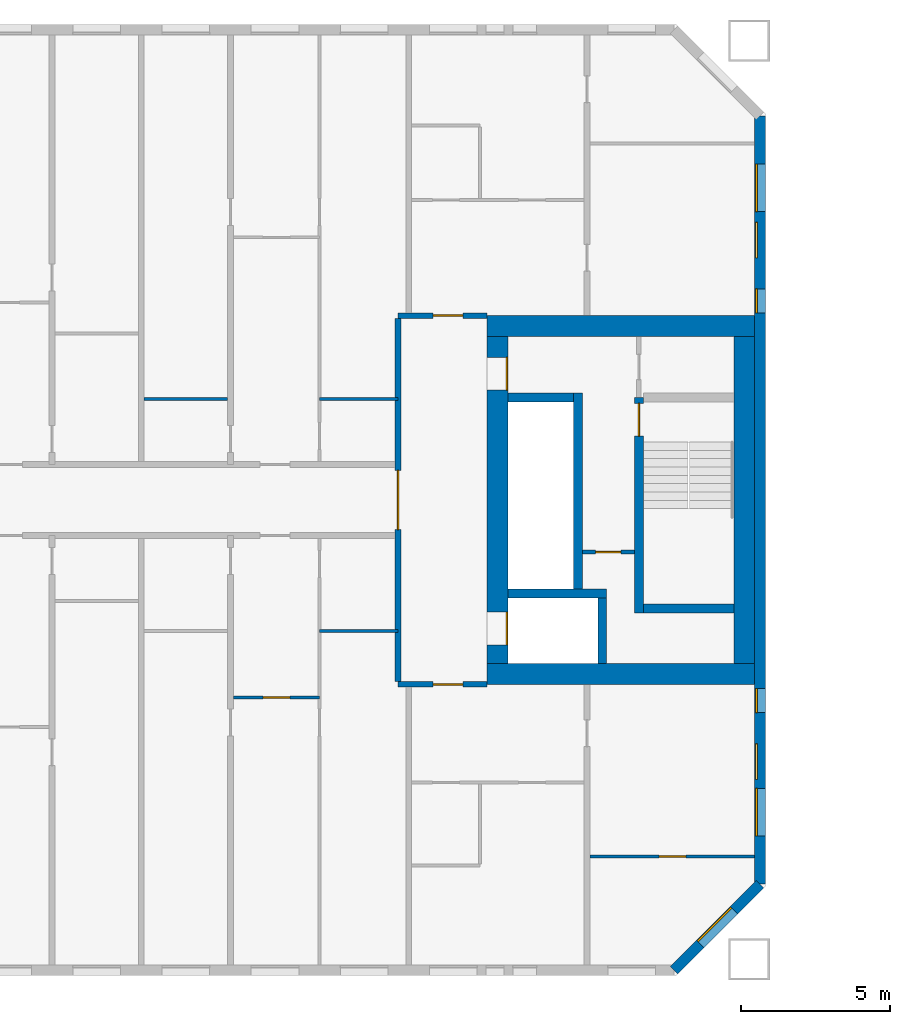
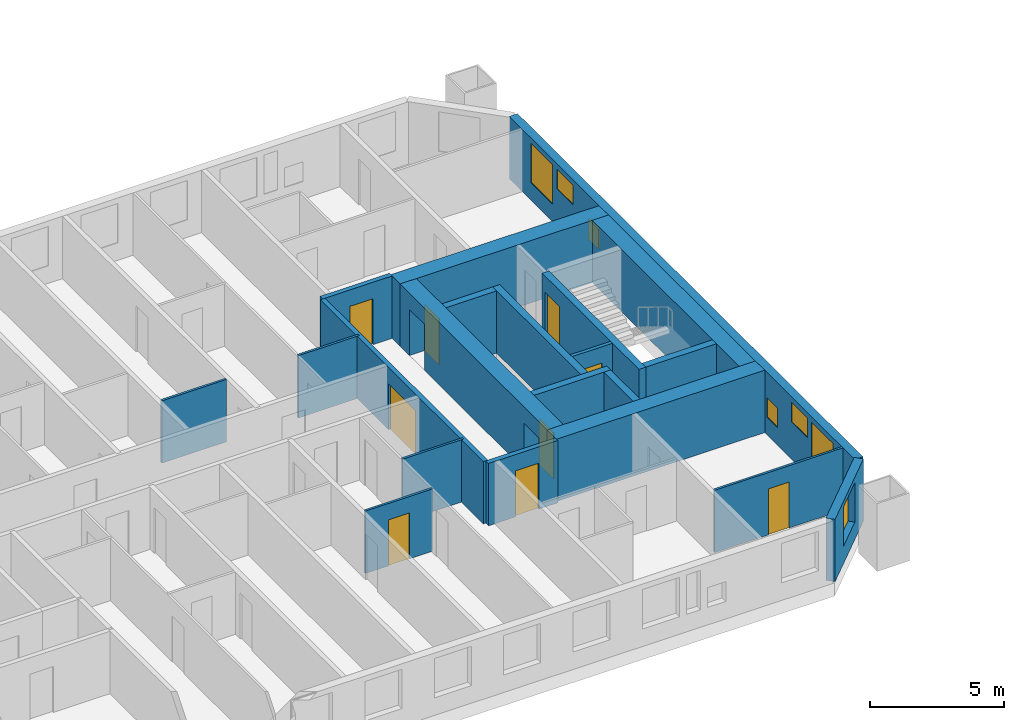
# One storey, part 7 of 17: 21 walls, 9 doors, 7 windows, 16 openings.
"""IFC4 building model written with IfcOpenShell, lengths in metres."""

from ifc_helpers import new_model, si_unit, direction, frame, frame_2d, origin, place, context, subcontext, project, spatial, rectangle, extrude, material, layer, layer_set, type_object, element, fill, save


model = new_model("IFC4")

# Units and contexts
model_context = context("Model", 3, precision=1e-05, world=origin(), true_north=direction((0.0, 1.0)))
body_context = subcontext(model_context, "Body", "Model", "MODEL_VIEW")
ifc_project = project(units=[si_unit("LENGTHUNIT", "METRE"), si_unit("AREAUNIT", "SQUARE_METRE"), si_unit("VOLUMEUNIT", "CUBIC_METRE"), si_unit("PLANEANGLEUNIT", "RADIAN"), si_unit("MASSUNIT", "GRAM", prefix="KILO")], contexts=[model_context])

# Site, building, storey
site_placement = place(None, origin())
site = spatial("IfcSite", under=ifc_project, at=site_placement, CompositionType="ELEMENT")
building_placement = place(site_placement, origin())
building = spatial("IfcBuilding", under=site, at=building_placement, Name="Tuart Gate Housing", CompositionType="ELEMENT")
storey_placement = place(building_placement, frame((0.0, 0.0, 71.60009765625)))
storey = spatial("IfcBuildingStorey", under=building, at=storey_placement, Name="L19", CompositionType="ELEMENT", Elevation=71.60009765625)

# Wall, opening, window
ifc_material_1 = material(Name="Brick", Category="masonry")
ifc_layer_1 = layer(ifc_material_1, 0.360107421875)
ifc_layer_set_1 = layer_set([ifc_layer_1], Name="Brick pier and spandrel wall 360")
wall_type_1 = type_object("IfcWallType", Name="Brick pier and spandrel wall 360", PredefinedType="STANDARD", material=ifc_layer_set_1)
wall_1_placement = place(storey_placement, frame((72.92529296875, 54.179931640625, 0.0), z_axis=(0.0, 0.0, 1.0), x_axis=(0.707106781187, 0.707106781187, 0.0)))
wall_1 = element("IfcWall", 1, at=wall_1_placement, inside=storey, type_object=wall_type_1, Name="External wall A-SE L19", PredefinedType="STANDARD", context=body_context, shape_type="SweptSolid", body=[
    extrude(rectangle(XDim=4.09375, YDim=0.360107421875, at=frame_2d((2.046875, 0.0))), origin(), (0.0, 0.0, 1.0), 2.849853515625),
])
opening_1_placement = place(wall_1_placement, frame((1.2470703125, 0.0, 0.800048828125)))
opening_1 = element("IfcOpeningElement", 2, at=opening_1_placement, cuts=wall_1, Name="Opening W1", PredefinedType="OPENING", context=body_context, shape_type="SweptSolid", body=[
    extrude(rectangle(XDim=1.60009765625, YDim=1.800048828125, at=frame_2d((0.800048828125, 0.89990234375))), frame((0.0, 0.18994140625, 0.0), z_axis=(0.0, -1.0, 0.0), x_axis=(1.0, 0.0, 0.0)), (0.0, 0.0, 1.0), 0.380126953125),
])
ifc_material_2 = material(Name="Aluminium frame with clear glass", Category="aluminium")
window_type_1 = type_object("IfcWindowType", Name="Punched window 1600 x 1800", PartitioningType="SINGLE_PANEL", PredefinedType="WINDOW", material=ifc_material_2)
window_1_placement = place(opening_1_placement, origin())
window_1 = element("IfcWindow", 3, at=window_1_placement, inside=storey, type_object=window_type_1, Name="Window W1", OverallHeight=1.800048828125, OverallWidth=1.60009765625, PartitioningType="SINGLE_PANEL", PredefinedType="WINDOW", context=body_context, shape_type="SweptSolid", body=[
    extrude(rectangle(XDim=1.60009765625, YDim=1.800048828125, at=frame_2d((0.800048828125, 0.89990234375))), frame((0.0, 0.150146484375, 0.0), z_axis=(0.0, -1.0, 0.0), x_axis=(1.0, 0.0, 0.0)), (0.0, 0.0, 1.0), 0.06005859375),
])
fill(opening_1, window_1)

# Wall, openings, windows
wall_2_placement = place(storey_placement, frame((75.820068359375, 57.07470703125, 0.0), z_axis=(0.0, 0.0, 1.0), x_axis=(0.0, 1.0, 0.0)))
wall_2 = element("IfcWall", 4, at=wall_2_placement, inside=storey, type_object=wall_type_1, Name="External wall A-E L19", PredefinedType="STANDARD", context=body_context, shape_type="SweptSolid", body=[
    extrude(rectangle(XDim=25.850830078125, YDim=0.360107421875, at=frame_2d((12.92529296875, 0.0))), origin(), (0.0, 0.0, 1.0), 2.849853515625),
])
opening_2_placement = place(wall_2_placement, frame((1.62548828125, 0.0, 0.800048828125)))
opening_2 = element("IfcOpeningElement", 5, at=opening_2_placement, cuts=wall_2, Name="Opening W1", PredefinedType="OPENING", context=body_context, shape_type="SweptSolid", body=[
    extrude(rectangle(XDim=1.60009765625, YDim=1.800048828125, at=frame_2d((0.800048828125, 0.89990234375))), frame((0.0, 0.18994140625, 0.0), z_axis=(0.0, -1.0, 0.0), x_axis=(1.0, 0.0, 0.0)), (0.0, 0.0, 1.0), 0.380126953125),
])
opening_3_placement = place(wall_2_placement, frame((3.525390625, 0.0, 1.699951171875)))
opening_3 = element("IfcOpeningElement", 6, at=opening_3_placement, cuts=wall_2, Name="Opening W1T", PredefinedType="OPENING", context=body_context, shape_type="SweptSolid", body=[
    extrude(rectangle(XDim=1.199951171875, YDim=0.89990234375, at=frame_2d((0.60009765625, 0.449951171875))), frame((0.0, 0.18994140625, 0.0), z_axis=(0.0, -1.0, 0.0), x_axis=(1.0, 0.0, 0.0)), (0.0, 0.0, 1.0), 0.380126953125),
])
opening_4_placement = place(wall_2_placement, frame((19.225341796875, 0.0, 0.800048828125)))
opening_4 = element("IfcOpeningElement", 7, at=opening_4_placement, cuts=wall_2, Name="Opening W1V", PredefinedType="OPENING", context=body_context, shape_type="SweptSolid", body=[
    extrude(rectangle(XDim=0.800048828125, YDim=0.89990234375, at=frame_2d((0.39990234375, 0.449951171875))), frame((0.0, 0.18994140625, 0.0), z_axis=(0.0, -1.0, 0.0), x_axis=(1.0, 0.0, 0.0)), (0.0, 0.0, 1.0), 0.380126953125),
])
opening_5_placement = place(wall_2_placement, frame((22.62548828125, 0.0, 0.800048828125)))
opening_5 = element("IfcOpeningElement", 8, at=opening_5_placement, cuts=wall_2, Name="Opening W1", PredefinedType="OPENING", context=body_context, shape_type="SweptSolid", body=[
    extrude(rectangle(XDim=1.60009765625, YDim=1.800048828125, at=frame_2d((0.800048828125, 0.89990234375))), frame((0.0, 0.18994140625, 0.0), z_axis=(0.0, -1.0, 0.0), x_axis=(1.0, 0.0, 0.0)), (0.0, 0.0, 1.0), 0.380126953125),
])
opening_6_placement = place(wall_2_placement, frame((5.775390625, 0.0, 0.800048828125)))
opening_6 = element("IfcOpeningElement", 9, at=opening_6_placement, cuts=wall_2, Name="Opening W1V", PredefinedType="OPENING", context=body_context, shape_type="SweptSolid", body=[
    extrude(rectangle(XDim=0.800048828125, YDim=0.89990234375, at=frame_2d((0.39990234375, 0.449951171875))), frame((0.0, 0.18994140625, 0.0), z_axis=(0.0, -1.0, 0.0), x_axis=(1.0, 0.0, 0.0)), (0.0, 0.0, 1.0), 0.380126953125),
])
opening_7_placement = place(wall_2_placement, frame((21.075439453125, 0.0, 1.699951171875)))
opening_7 = element("IfcOpeningElement", 10, at=opening_7_placement, cuts=wall_2, Name="Opening W1T", PredefinedType="OPENING", context=body_context, shape_type="SweptSolid", body=[
    extrude(rectangle(XDim=1.199951171875, YDim=0.89990234375, at=frame_2d((0.60009765625, 0.449951171875))), frame((0.0, 0.18994140625, 0.0), z_axis=(0.0, -1.0, 0.0), x_axis=(1.0, 0.0, 0.0)), (0.0, 0.0, 1.0), 0.380126953125),
])
ifc_material_3 = material(Name="Aluminium frame with clear glass", Category="aluminium")
window_type_2 = type_object("IfcWindowType", Name="Punched window 1200 x 900", PartitioningType="SINGLE_PANEL", PredefinedType="WINDOW", material=ifc_material_3)
window_2_placement = place(opening_3_placement, origin())
window_2 = element("IfcWindow", 11, at=window_2_placement, inside=storey, type_object=window_type_2, Name="Window W1T", OverallHeight=0.89990234375, OverallWidth=1.199951171875, PartitioningType="SINGLE_PANEL", PredefinedType="WINDOW", context=body_context, shape_type="SweptSolid", body=[
    extrude(rectangle(XDim=1.199951171875, YDim=0.89990234375, at=frame_2d((0.60009765625, 0.449951171875))), frame((0.0, 0.150146484375, 0.0), z_axis=(0.0, -1.0, 0.0), x_axis=(1.0, 0.0, 0.0)), (0.0, 0.0, 1.0), 0.06005859375),
])
fill(opening_3, window_2)
window_3_placement = place(opening_7_placement, origin())
window_3 = element("IfcWindow", 12, at=window_3_placement, inside=storey, type_object=window_type_2, Name="Window W1T", OverallHeight=0.89990234375, OverallWidth=1.199951171875, PartitioningType="SINGLE_PANEL", PredefinedType="WINDOW", context=body_context, shape_type="SweptSolid", body=[
    extrude(rectangle(XDim=1.199951171875, YDim=0.89990234375, at=frame_2d((0.60009765625, 0.449951171875))), frame((0.0, 0.150146484375, 0.0), z_axis=(0.0, -1.0, 0.0), x_axis=(1.0, 0.0, 0.0)), (0.0, 0.0, 1.0), 0.06005859375),
])
fill(opening_7, window_3)
window_4_placement = place(opening_2_placement, origin())
window_4 = element("IfcWindow", 13, at=window_4_placement, inside=storey, type_object=window_type_1, Name="Window W1", OverallHeight=1.800048828125, OverallWidth=1.60009765625, PartitioningType="SINGLE_PANEL", PredefinedType="WINDOW", context=body_context, shape_type="SweptSolid", body=[
    extrude(rectangle(XDim=1.60009765625, YDim=1.800048828125, at=frame_2d((0.800048828125, 0.89990234375))), frame((0.0, 0.150146484375, 0.0), z_axis=(0.0, -1.0, 0.0), x_axis=(1.0, 0.0, 0.0)), (0.0, 0.0, 1.0), 0.06005859375),
])
fill(opening_2, window_4)
window_5_placement = place(opening_5_placement, origin())
window_5 = element("IfcWindow", 14, at=window_5_placement, inside=storey, type_object=window_type_1, Name="Window W1", OverallHeight=1.800048828125, OverallWidth=1.60009765625, PartitioningType="SINGLE_PANEL", PredefinedType="WINDOW", context=body_context, shape_type="SweptSolid", body=[
    extrude(rectangle(XDim=1.60009765625, YDim=1.800048828125, at=frame_2d((0.800048828125, 0.89990234375))), frame((0.0, 0.150146484375, 0.0), z_axis=(0.0, -1.0, 0.0), x_axis=(1.0, 0.0, 0.0)), (0.0, 0.0, 1.0), 0.06005859375),
])
fill(opening_5, window_5)
ifc_material_4 = material(Name="Aluminium frame with clear glass", Category="aluminium")
window_type_3 = type_object("IfcWindowType", Name="Punched window 800 x 900", PartitioningType="SINGLE_PANEL", PredefinedType="WINDOW", material=ifc_material_4)
window_6_placement = place(opening_4_placement, origin())
window_6 = element("IfcWindow", 15, at=window_6_placement, inside=storey, type_object=window_type_3, Name="Window W1V", OverallHeight=0.89990234375, OverallWidth=0.800048828125, PartitioningType="SINGLE_PANEL", PredefinedType="WINDOW", context=body_context, shape_type="SweptSolid", body=[
    extrude(rectangle(XDim=0.800048828125, YDim=0.89990234375, at=frame_2d((0.39990234375, 0.449951171875))), frame((0.0, 0.150146484375, 0.0), z_axis=(0.0, -1.0, 0.0), x_axis=(1.0, 0.0, 0.0)), (0.0, 0.0, 1.0), 0.06005859375),
])
fill(opening_4, window_6)
window_7_placement = place(opening_6_placement, origin())
window_7 = element("IfcWindow", 16, at=window_7_placement, inside=storey, type_object=window_type_3, Name="Window W1V", OverallHeight=0.89990234375, OverallWidth=0.800048828125, PartitioningType="SINGLE_PANEL", PredefinedType="WINDOW", context=body_context, shape_type="SweptSolid", body=[
    extrude(rectangle(XDim=0.800048828125, YDim=0.89990234375, at=frame_2d((0.39990234375, 0.449951171875))), frame((0.0, 0.150146484375, 0.0), z_axis=(0.0, -1.0, 0.0), x_axis=(1.0, 0.0, 0.0)), (0.0, 0.0, 1.0), 0.06005859375),
])
fill(opening_6, window_7)

# Wall, opening, door
ifc_material_5 = material(Name="Plasterboard partition")
ifc_layer_2 = layer(ifc_material_5, 0.14990234375)
ifc_layer_set_2 = layer_set([ifc_layer_2], Name="Core partition 150")
wall_type_2 = type_object("IfcWallType", Name="Core partition 150", PredefinedType="PARTITIONING", material=ifc_layer_set_2)
wall_3_placement = place(storey_placement, frame((69.840087890625, 68.25, 0.0), z_axis=(0.0, 0.0, 1.0), x_axis=(1.0, 0.0, 0.0)))
wall_3 = element("IfcWall", 17, at=wall_3_placement, inside=storey, type_object=wall_type_2, Name="Core partition AG.3", PredefinedType="PARTITIONING", context=body_context, shape_type="SweptSolid", body=[
    extrude(rectangle(XDim=1.75, YDim=0.14990234375, at=frame_2d((0.875, 0.0))), origin(), (0.0, 0.0, 1.0), 2.849853515625),
])
opening_8_placement = place(wall_3_placement, frame((0.449951171875, 0.0, 0.0)))
opening_8 = element("IfcOpeningElement", 18, at=opening_8_placement, cuts=wall_3, Name="Opening D870", PredefinedType="OPENING", context=body_context, shape_type="SweptSolid", body=[
    extrude(rectangle(XDim=0.85009765625, YDim=2.10009765625, at=frame_2d((0.425048828125, 1.050048828125))), frame((0.0, 0.0849609375, 0.0), z_axis=(0.0, -1.0, 0.0), x_axis=(1.0, 0.0, 0.0)), (0.0, 0.0, 1.0), 0.169921875),
])
ifc_material_6 = material(Name="Steel fire door", Category="steel")
door_type_1 = type_object("IfcDoorType", Name="Riser door 850 x 2100 RH", OperationType="SINGLE_SWING_RIGHT", PredefinedType="DOOR", material=ifc_material_6)
door_1_placement = place(opening_8_placement, frame((0.85009765625, 0.0, 0.0), z_axis=(0.0, 0.0, 1.0), x_axis=(-1.0, 0.0, 0.0)))
door_1 = element("IfcDoor", 19, at=door_1_placement, inside=storey, type_object=door_type_1, Name="Service room door AG.E1", OperationType="SINGLE_SWING_RIGHT", OverallHeight=2.10009765625, OverallWidth=0.85009765625, PredefinedType="DOOR", context=body_context, shape_type="SweptSolid", body=[
    extrude(rectangle(XDim=0.85009765625, YDim=2.10009765625, at=frame_2d((0.425048828125, 1.050048828125))), frame((0.0, 0.025146484375, 0.0), z_axis=(0.0, -1.0, 0.0), x_axis=(1.0, 0.0, 0.0)), (0.0, 0.0, 1.0), 0.050048828125),
])
fill(opening_8, door_1)

# Walls
ifc_material_7 = material(Name="Concrete C50", Category="concrete")
ifc_layer_3 = layer(ifc_material_7, 0.300048828125)
ifc_layer_set_3 = layer_set([ifc_layer_3], Name="Core wall 300 C50")
wall_type_3 = type_object("IfcWallType", Name="Core wall 300 C50", PredefinedType="SHEAR", material=ifc_layer_set_3)
wall_4_placement = place(storey_placement, frame((71.889892578125, 66.35009765625, 0.0), z_axis=(0.0, 0.0, 1.0), x_axis=(1.0, 0.0, 0.0)))
element("IfcWall", 20, at=wall_4_placement, inside=storey, type_object=wall_type_3, Name="Core wall AG.1", PredefinedType="SHEAR", context=body_context, shape_type="SweptSolid", body=[
    extrude(rectangle(XDim=3.050048828125, YDim=0.300048828125, at=frame_2d((1.52490234375, 0.0))), origin(), (0.0, 0.0, 1.0), 2.849853515625),
])
wall_5_placement = place(storey_placement, frame((67.340087890625, 66.85009765625, 0.0), z_axis=(0.0, 0.0, 1.0), x_axis=(1.0, 0.0, 0.0)))
element("IfcWall", 21, at=wall_5_placement, inside=storey, type_object=wall_type_3, Name="Core wall AG.2", PredefinedType="SHEAR", context=body_context, shape_type="SweptSolid", body=[
    extrude(rectangle(XDim=3.31982421875, YDim=0.300048828125, at=frame_2d((1.659912109375, 0.0))), origin(), (0.0, 0.0, 1.0), 2.849853515625),
])
wall_6_placement = place(storey_placement, frame((67.340087890625, 73.449951171875, 0.0), z_axis=(0.0, 0.0, 1.0), x_axis=(1.0, 0.0, 0.0)))
element("IfcWall", 22, at=wall_6_placement, inside=storey, type_object=wall_type_3, Name="Core wall AG.4", PredefinedType="SHEAR", context=body_context, shape_type="SweptSolid", body=[
    extrude(rectangle(XDim=2.199951171875, YDim=0.300048828125, at=frame_2d((1.10009765625, 0.0))), origin(), (0.0, 0.0, 1.0), 2.849853515625),
])
wall_7_placement = place(storey_placement, frame((69.68994140625, 67.0, 0.0), z_axis=(0.0, 0.0, 1.0), x_axis=(0.0, 1.0, 0.0)))
element("IfcWall", 23, at=wall_7_placement, inside=storey, type_object=wall_type_3, Name="Core wall AG.6", PredefinedType="SHEAR", context=body_context, shape_type="SweptSolid", body=[
    extrude(rectangle(XDim=6.60009765625, YDim=0.300048828125, at=frame_2d((3.300048828125, 0.0))), origin(), (0.0, 0.0, 1.0), 2.849853515625),
])
wall_8_placement = place(storey_placement, frame((70.510009765625, 64.5, 0.0), z_axis=(0.0, 0.0, 1.0), x_axis=(0.0, 1.0, 0.0)))
element("IfcWall", 24, at=wall_8_placement, inside=storey, type_object=wall_type_3, Name="Core wall AG.7", PredefinedType="SHEAR", context=body_context, shape_type="SweptSolid", body=[
    extrude(rectangle(XDim=2.199951171875, YDim=0.300048828125, at=frame_2d((1.10009765625, 0.0))), origin(), (0.0, 0.0, 1.0), 2.849853515625),
])

# Wall, opening, door
wall_9_placement = place(storey_placement, frame((71.739990234375, 66.199951171875, 0.0), z_axis=(0.0, 0.0, 1.0), x_axis=(0.0, 1.0, 0.0)))
wall_9 = element("IfcWall", 25, at=wall_9_placement, inside=storey, type_object=wall_type_3, Name="Core wall AG.8", PredefinedType="SHEAR", context=body_context, shape_type="SweptSolid", body=[
    extrude(rectangle(XDim=7.25, YDim=0.300048828125, at=frame_2d((3.625, 0.0))), origin(), (0.0, 0.0, 1.0), 2.849853515625),
])
opening_9_placement = place(wall_9_placement, frame((5.949951171875, 0.0, 0.0)))
opening_9 = element("IfcOpeningElement", 26, at=opening_9_placement, cuts=wall_9, Name="Opening D867", PredefinedType="OPENING", context=body_context, shape_type="SweptSolid", body=[
    extrude(rectangle(XDim=1.10009765625, YDim=2.10009765625, at=frame_2d((0.550048828125, 1.050048828125))), frame((0.0, 0.159912109375, 0.0), z_axis=(0.0, -1.0, 0.0), x_axis=(1.0, 0.0, 0.0)), (0.0, 0.0, 1.0), 0.320068359375),
])
ifc_material_8 = material(Name="Steel fire door", Category="steel")
door_type_2 = type_object("IfcDoorType", Name="Stair door 1100 x 2100", OperationType="SINGLE_SWING_LEFT", PredefinedType="DOOR", material=ifc_material_8)
door_2_placement = place(opening_9_placement, frame((1.10009765625, 0.0, 0.0), z_axis=(0.0, 0.0, 1.0), x_axis=(-1.0, 0.0, 0.0)))
door_2 = element("IfcDoor", 27, at=door_2_placement, inside=storey, type_object=door_type_2, Name="Stair door AG.SD", OperationType="SINGLE_SWING_LEFT", OverallHeight=2.10009765625, OverallWidth=1.10009765625, PredefinedType="DOOR", context=body_context, shape_type="SweptSolid", body=[
    extrude(rectangle(XDim=1.10009765625, YDim=2.10009765625, at=frame_2d((0.550048828125, 1.050048828125))), frame((0.0, 0.025146484375, 0.0), z_axis=(0.0, -1.0, 0.0), x_axis=(1.0, 0.0, 0.0)), (0.0, 0.0, 1.0), 0.050048828125),
])
fill(opening_9, door_2)

# Wall, openings, doors
ifc_material_9 = material(Name="Concrete C50", Category="concrete")
ifc_layer_4 = layer(ifc_material_9, 0.699951171875)
ifc_layer_set_4 = layer_set([ifc_layer_4], Name="Core wall 700 C50")
wall_type_4 = type_object("IfcWallType", Name="Core wall 700 C50", PredefinedType="SHEAR", material=ifc_layer_set_4)
wall_10_placement = place(storey_placement, frame((66.989990234375, 64.5, 0.0), z_axis=(0.0, 0.0, 1.0), x_axis=(0.0, 1.0, 0.0)))
wall_10 = element("IfcWall", 28, at=wall_10_placement, inside=storey, type_object=wall_type_4, Name="Core wall AG front", PredefinedType="SHEAR", context=body_context, shape_type="SweptSolid", body=[
    extrude(rectangle(XDim=11.0, YDim=0.699951171875, at=frame_2d((5.5, 0.0))), origin(), (0.0, 0.0, 1.0), 2.849853515625),
])
opening_10_placement = place(wall_10_placement, frame((0.625, 0.0, 0.0)))
opening_10 = element("IfcOpeningElement", 29, at=opening_10_placement, cuts=wall_10, Name="Opening LD-FA1", PredefinedType="OPENING", context=body_context, shape_type="SweptSolid", body=[
    extrude(rectangle(XDim=1.10009765625, YDim=2.10009765625, at=frame_2d((0.550048828125, 1.050048828125))), frame((0.0, 0.35986328125, 0.0), z_axis=(0.0, -1.0, 0.0), x_axis=(1.0, 0.0, 0.0)), (0.0, 0.0, 1.0), 0.719970703125),
])
opening_11_placement = place(wall_10_placement, frame((9.199951171875, 0.0, 0.0)))
opening_11 = element("IfcOpeningElement", 30, at=opening_11_placement, cuts=wall_10, Name="Opening D866", PredefinedType="OPENING", context=body_context, shape_type="SweptSolid", body=[
    extrude(rectangle(XDim=1.10009765625, YDim=2.10009765625, at=frame_2d((0.550048828125, 1.050048828125))), frame((0.0, 0.35986328125, 0.0), z_axis=(0.0, -1.0, 0.0), x_axis=(1.0, 0.0, 0.0)), (0.0, 0.0, 1.0), 0.719970703125),
])
ifc_material_10 = material(Name="Stainless steel", Category="steel")
door_type_3 = type_object("IfcDoorType", Name="Landing door 1100 x 2100", OperationType="DOUBLE_DOOR_SLIDING", PredefinedType="DOOR", material=ifc_material_10)
door_3_placement = place(opening_10_placement, origin())
door_3 = element("IfcDoor", 31, at=door_3_placement, inside=storey, type_object=door_type_3, Name="Lift landing door FA1", OperationType="DOUBLE_DOOR_SLIDING", OverallHeight=2.10009765625, OverallWidth=1.10009765625, PredefinedType="DOOR", context=body_context, shape_type="SweptSolid", body=[
    extrude(rectangle(XDim=1.10009765625, YDim=2.10009765625, at=frame_2d((0.550048828125, 1.050048828125))), frame((0.0, -0.28515625, 0.0), z_axis=(0.0, -1.0, 0.0), x_axis=(1.0, 0.0, 0.0)), (0.0, 0.0, 1.0), 0.050048828125),
])
fill(opening_10, door_3)
ifc_material_11 = material(Name="Steel fire door", Category="steel")
door_type_4 = type_object("IfcDoorType", Name="Lobby door 1100 x 2100 RH", OperationType="SINGLE_SWING_RIGHT", PredefinedType="DOOR", material=ifc_material_11)
door_4_placement = place(opening_11_placement, frame((1.10009765625, 0.0, 0.0), z_axis=(0.0, 0.0, 1.0), x_axis=(-1.0, 0.0, 0.0)))
door_4 = element("IfcDoor", 32, at=door_4_placement, inside=storey, type_object=door_type_4, Name="Lobby entry door AG.EN", OperationType="SINGLE_SWING_RIGHT", OverallHeight=2.10009765625, OverallWidth=1.10009765625, PredefinedType="DOOR", context=body_context, shape_type="SweptSolid", body=[
    extrude(rectangle(XDim=1.10009765625, YDim=2.10009765625, at=frame_2d((0.550048828125, 1.050048828125))), frame((0.0, 0.335205078125, 0.0), z_axis=(0.0, -1.0, 0.0), x_axis=(1.0, 0.0, 0.0)), (0.0, 0.0, 1.0), 0.050048828125),
])
fill(opening_11, door_4)

# Walls
wall_11_placement = place(storey_placement, frame((75.2900390625, 64.5, 0.0), z_axis=(0.0, 0.0, 1.0), x_axis=(0.0, 1.0, 0.0)))
element("IfcWall", 33, at=wall_11_placement, inside=storey, type_object=wall_type_4, Name="Core wall AG back", PredefinedType="SHEAR", context=body_context, shape_type="SweptSolid", body=[
    extrude(rectangle(XDim=11.0, YDim=0.699951171875, at=frame_2d((5.5, 0.0))), origin(), (0.0, 0.0, 1.0), 2.849853515625),
])
for number, where, z_axis, x_axis, name in (
    (34, (66.639892578125, 64.14990234375, 0.0), (0.0, 0.0, 1.0), (1.0, 0.0, 0.0), "Core wall AG south"),
    (35, (66.639892578125, 75.85009765625, 0.0), (0.0, 0.0, 1.0), (1.0, 0.0, 0.0), "Core wall AG north"),
):
    element("IfcWall", number, at=place(storey_placement, frame(where, z_axis=z_axis, x_axis=x_axis)), inside=storey, type_object=wall_type_4, Name=name, PredefinedType="SHEAR", context=body_context, shape_type="SweptSolid", body=[
        extrude(rectangle(XDim=9.0, YDim=0.699951171875, at=frame_2d((4.5, 0.0))), origin(), (0.0, 0.0, 1.0), 2.849853515625),
    ])

# Wall, opening, door
ifc_material_12 = material(Name="Concrete masonry 15 MPa", Category="masonry")
ifc_layer_5 = layer(ifc_material_12, 0.199951171875)
ifc_layer_set_5 = layer_set([ifc_layer_5], Name="Enclosure wall masonry 200")
wall_type_5 = type_object("IfcWallType", Name="Enclosure wall masonry 200", PredefinedType="PARTITIONING", material=ifc_layer_set_5)
wall_12_placement = place(storey_placement, frame((63.639892578125, 63.800048828125, 0.0), z_axis=(0.0, 0.0, 1.0), x_axis=(1.0, 0.0, 0.0)))
wall_12 = element("IfcWall", 36, at=wall_12_placement, inside=storey, type_object=wall_type_5, Name="Enclosure wall masonry 200", PredefinedType="PARTITIONING", context=body_context, shape_type="SweptSolid", body=[
    extrude(rectangle(XDim=3.0, YDim=0.199951171875, at=frame_2d((1.5, 0.0))), origin(), (0.0, 0.0, 1.0), 2.849853515625),
])
opening_12_placement = place(wall_12_placement, frame((1.179931640625, 0.0, 0.0)))
opening_12 = element("IfcOpeningElement", 37, at=opening_12_placement, cuts=wall_12, Name="Opening D874", PredefinedType="OPENING", context=body_context, shape_type="SweptSolid", body=[
    extrude(rectangle(XDim=1.0, YDim=2.10009765625, at=frame_2d((0.5, 1.050048828125))), frame((0.0, 0.10986328125, 0.0), z_axis=(0.0, -1.0, 0.0), x_axis=(1.0, 0.0, 0.0)), (0.0, 0.0, 1.0), 0.219970703125),
])
ifc_material_13 = material(Name="Timber door leaf in steel frame", Category="steel")
door_type_5 = type_object("IfcDoorType", Name="Flat entrance door 1000 RH", OperationType="SINGLE_SWING_RIGHT", PredefinedType="DOOR", material=ifc_material_13)
door_5_placement = place(opening_12_placement, frame((1.0, 0.0, 0.0), z_axis=(0.0, 0.0, 1.0), x_axis=(-1.0, 0.0, 0.0)))
door_5 = element("IfcDoor", 38, at=door_5_placement, inside=storey, type_object=door_type_5, Name="Flat entrance door", OperationType="SINGLE_SWING_RIGHT", OverallHeight=2.10009765625, OverallWidth=1.0, PredefinedType="DOOR", context=body_context, shape_type="SweptSolid", body=[
    extrude(rectangle(XDim=1.0, YDim=2.10009765625, at=frame_2d((0.5, 1.050048828125))), frame((0.0, 0.025146484375, 0.0), z_axis=(0.0, -1.0, 0.0), x_axis=(1.0, 0.0, 0.0)), (0.0, 0.0, 1.0), 0.050048828125),
])
fill(opening_12, door_5)

wall_13_placement = place(storey_placement, frame((63.639892578125, 76.199951171875, 0.0), z_axis=(0.0, 0.0, 1.0), x_axis=(1.0, 0.0, 0.0)))
wall_13 = element("IfcWall", 39, at=wall_13_placement, inside=storey, type_object=wall_type_5, Name="Enclosure wall masonry 200", PredefinedType="PARTITIONING", context=body_context, shape_type="SweptSolid", body=[
    extrude(rectangle(XDim=3.0, YDim=0.199951171875, at=frame_2d((1.5, 0.0))), origin(), (0.0, 0.0, 1.0), 2.849853515625),
])
opening_13_placement = place(wall_13_placement, frame((1.179931640625, 0.0, 0.0)))
opening_13 = element("IfcOpeningElement", 40, at=opening_13_placement, cuts=wall_13, Name="Opening D856", PredefinedType="OPENING", context=body_context, shape_type="SweptSolid", body=[
    extrude(rectangle(XDim=1.0, YDim=2.10009765625, at=frame_2d((0.5, 1.050048828125))), frame((0.0, 0.10986328125, 0.0), z_axis=(0.0, -1.0, 0.0), x_axis=(1.0, 0.0, 0.0)), (0.0, 0.0, 1.0), 0.219970703125),
])
ifc_material_14 = material(Name="Timber door leaf in steel frame", Category="steel")
door_type_6 = type_object("IfcDoorType", Name="Flat entrance door 1000", OperationType="SINGLE_SWING_LEFT", PredefinedType="DOOR", material=ifc_material_14)
door_6_placement = place(opening_13_placement, origin())
door_6 = element("IfcDoor", 41, at=door_6_placement, inside=storey, type_object=door_type_6, Name="Flat entrance door", OperationType="SINGLE_SWING_LEFT", OverallHeight=2.10009765625, OverallWidth=1.0, PredefinedType="DOOR", context=body_context, shape_type="SweptSolid", body=[
    extrude(rectangle(XDim=1.0, YDim=2.10009765625, at=frame_2d((0.5, 1.050048828125))), frame((0.0, 0.02490234375, 0.0), z_axis=(0.0, -1.0, 0.0), x_axis=(1.0, 0.0, 0.0)), (0.0, 0.0, 1.0), 0.050048828125),
])
fill(opening_13, door_6)

ifc_material_15 = material(Name="Plasterboard partition")
ifc_layer_6 = layer(ifc_material_15, 0.199951171875)
ifc_layer_set_6 = layer_set([ifc_layer_6], Name="Lobby wall 200")
wall_type_6 = type_object("IfcWallType", Name="Lobby wall 200", PredefinedType="PARTITIONING", material=ifc_layer_set_6)
wall_14_placement = place(storey_placement, frame((63.639892578125, 63.89990234375, 0.0), z_axis=(0.0, 0.0, 1.0), x_axis=(0.0, 1.0, 0.0)))
wall_14 = element("IfcWall", 42, at=wall_14_placement, inside=storey, type_object=wall_type_6, Name="Lift lobby wall AG", PredefinedType="PARTITIONING", context=body_context, shape_type="SweptSolid", body=[
    extrude(rectangle(XDim=12.2001953125, YDim=0.199951171875, at=frame_2d((6.10009765625, 0.0))), origin(), (0.0, 0.0, 1.0), 2.849853515625),
])
opening_14_placement = place(wall_14_placement, frame((5.10009765625, 0.0, 0.0)))
opening_14 = element("IfcOpeningElement", 43, at=opening_14_placement, cuts=wall_14, Name="Opening D865", PredefinedType="OPENING", context=body_context, shape_type="SweptSolid", body=[
    extrude(rectangle(XDim=2.0, YDim=2.10009765625, at=frame_2d((1.0, 1.050048828125))), frame((0.0, 0.10986328125, 0.0), z_axis=(0.0, -1.0, 0.0), x_axis=(1.0, 0.0, 0.0)), (0.0, 0.0, 1.0), 0.219970703125),
])
ifc_material_16 = material(Name="Steel fire door", Category="steel")
door_type_7 = type_object("IfcDoorType", Name="Smoke door 2000 x 2100", OperationType="DOUBLE_DOOR_SINGLE_SWING", PredefinedType="DOOR", material=ifc_material_16)
door_7_placement = place(opening_14_placement, frame((2.0, 0.0, 0.0), z_axis=(0.0, 0.0, 1.0), x_axis=(-1.0, 0.0, 0.0)))
door_7 = element("IfcDoor", 44, at=door_7_placement, inside=storey, type_object=door_type_7, Name="Lift lobby smoke door AG", OperationType="DOUBLE_DOOR_SINGLE_SWING", OverallHeight=2.10009765625, OverallWidth=2.0, PredefinedType="DOOR", context=body_context, shape_type="SweptSolid", body=[
    extrude(rectangle(XDim=2.0, YDim=2.10009765625, at=frame_2d((1.0, 1.050048828125))), frame((0.0, 0.025146484375, 0.0), z_axis=(0.0, -1.0, 0.0), x_axis=(1.0, 0.0, 0.0)), (0.0, 0.0, 1.0), 0.050048828125),
])
fill(opening_14, door_7)

ifc_material_17 = material(Name="Gypsum board on steel studs", Category="steel")
ifc_layer_7 = layer(ifc_material_17, 0.10009765625)
ifc_layer_set_7 = layer_set([ifc_layer_7], Name="Partition 100")
wall_type_7 = type_object("IfcWallType", Name="Partition 100", PredefinedType="PARTITIONING", material=ifc_layer_set_7)
wall_15_placement = place(storey_placement, frame((70.10009765625, 58.0, 0.0), z_axis=(0.0, 0.0, 1.0), x_axis=(1.0, 0.0, 0.0)))
wall_15 = element("IfcWall", 45, at=wall_15_placement, inside=storey, type_object=wall_type_7, Name="Partition 100", PredefinedType="PARTITIONING", context=body_context, shape_type="SweptSolid", body=[
    extrude(rectangle(XDim=5.539794921875, YDim=0.10009765625, at=frame_2d((2.77001953125, 0.0))), origin(), (0.0, 0.0, 1.0), 2.849853515625),
])
opening_15_placement = place(wall_15_placement, frame((2.320068359375, 0.0, 0.0)))
opening_15 = element("IfcOpeningElement", 46, at=opening_15_placement, cuts=wall_15, Name="Opening D890", PredefinedType="OPENING", context=body_context, shape_type="SweptSolid", body=[
    extrude(rectangle(XDim=0.89990234375, YDim=2.10009765625, at=frame_2d((0.449951171875, 1.050048828125))), frame((0.0, 0.06005859375, 0.0), z_axis=(0.0, -1.0, 0.0), x_axis=(1.0, 0.0, 0.0)), (0.0, 0.0, 1.0), 0.1201171875),
])
ifc_material_18 = material(Name="Timber door leaf in steel frame", Category="steel")
door_type_8 = type_object("IfcDoorType", Name="Internal door 900", OperationType="SINGLE_SWING_LEFT", PredefinedType="DOOR", material=ifc_material_18)
door_8_placement = place(opening_15_placement, frame((0.89990234375, 0.0, 0.0), z_axis=(0.0, 0.0, 1.0), x_axis=(-1.0, 0.0, 0.0)))
door_8 = element("IfcDoor", 47, at=door_8_placement, inside=storey, type_object=door_type_8, Name="Internal door", OperationType="SINGLE_SWING_LEFT", OverallHeight=2.10009765625, OverallWidth=0.89990234375, PredefinedType="DOOR", context=body_context, shape_type="SweptSolid", body=[
    extrude(rectangle(XDim=0.89990234375, YDim=2.10009765625, at=frame_2d((0.449951171875, 1.050048828125))), frame((0.0, 0.025146484375, 0.0), z_axis=(0.0, -1.0, 0.0), x_axis=(1.0, 0.0, 0.0)), (0.0, 0.0, 1.0), 0.050048828125),
])
fill(opening_15, door_8)

wall_16_placement = place(storey_placement, frame((58.10009765625, 63.360107421875, 0.0), z_axis=(0.0, 0.0, 1.0), x_axis=(1.0, 0.0, 0.0)))
wall_16 = element("IfcWall", 48, at=wall_16_placement, inside=storey, type_object=wall_type_7, Name="Partition 100", PredefinedType="PARTITIONING", context=body_context, shape_type="SweptSolid", body=[
    extrude(rectangle(XDim=2.89990234375, YDim=0.10009765625, at=frame_2d((1.449951171875, 0.0))), origin(), (0.0, 0.0, 1.0), 2.849853515625),
])
opening_16_placement = place(wall_16_placement, frame((1.0, 0.0, 0.0)))
opening_16 = element("IfcOpeningElement", 49, at=opening_16_placement, cuts=wall_16, Name="Opening D875", PredefinedType="OPENING", context=body_context, shape_type="SweptSolid", body=[
    extrude(rectangle(XDim=0.89990234375, YDim=2.10009765625, at=frame_2d((0.449951171875, 1.050048828125))), frame((0.0, 0.06005859375, 0.0), z_axis=(0.0, -1.0, 0.0), x_axis=(1.0, 0.0, 0.0)), (0.0, 0.0, 1.0), 0.1201171875),
])
ifc_material_19 = material(Name="Timber door leaf in steel frame", Category="steel")
door_type_9 = type_object("IfcDoorType", Name="Internal door 900 RH", OperationType="SINGLE_SWING_RIGHT", PredefinedType="DOOR", material=ifc_material_19)
door_9_placement = place(opening_16_placement, origin())
door_9 = element("IfcDoor", 50, at=door_9_placement, inside=storey, type_object=door_type_9, Name="Internal door", OperationType="SINGLE_SWING_RIGHT", OverallHeight=2.10009765625, OverallWidth=0.89990234375, PredefinedType="DOOR", context=body_context, shape_type="SweptSolid", body=[
    extrude(rectangle(XDim=0.89990234375, YDim=2.10009765625, at=frame_2d((0.449951171875, 1.050048828125))), frame((0.0, 0.02490234375, 0.0), z_axis=(0.0, -1.0, 0.0), x_axis=(1.0, 0.0, 0.0)), (0.0, 0.0, 1.0), 0.050048828125),
])
fill(opening_16, door_9)

# Walls
wall_17_placement = place(storey_placement, frame((61.0, 65.60009765625, 0.0), z_axis=(0.0, 0.0, 1.0), x_axis=(1.0, 0.0, 0.0)))
element("IfcWall", 51, at=wall_17_placement, inside=storey, type_object=wall_type_7, Name="Partition 100", PredefinedType="PARTITIONING", context=body_context, shape_type="SweptSolid", body=[
    extrude(rectangle(XDim=2.639892578125, YDim=0.10009765625, at=frame_2d((1.31982421875, 0.0))), origin(), (0.0, 0.0, 1.0), 2.849853515625),
])
wall_18_placement = place(storey_placement, frame((55.10009765625, 73.39990234375, 0.0), z_axis=(0.0, 0.0, 1.0), x_axis=(1.0, 0.0, 0.0)))
element("IfcWall", 52, at=wall_18_placement, inside=storey, type_object=wall_type_7, Name="Partition 100", PredefinedType="PARTITIONING", context=body_context, shape_type="SweptSolid", body=[
    extrude(rectangle(XDim=2.7998046875, YDim=0.10009765625, at=frame_2d((1.39990234375, 0.0))), origin(), (0.0, 0.0, 1.0), 2.849853515625),
])
wall_19_placement = place(storey_placement, frame((61.0, 73.39990234375, 0.0), z_axis=(0.0, 0.0, 1.0), x_axis=(1.0, 0.0, 0.0)))
element("IfcWall", 53, at=wall_19_placement, inside=storey, type_object=wall_type_7, Name="Partition 100", PredefinedType="PARTITIONING", context=body_context, shape_type="SweptSolid", body=[
    extrude(rectangle(XDim=2.639892578125, YDim=0.10009765625, at=frame_2d((1.31982421875, 0.0))), origin(), (0.0, 0.0, 1.0), 2.849853515625),
])

save(model, "model.ifc")
